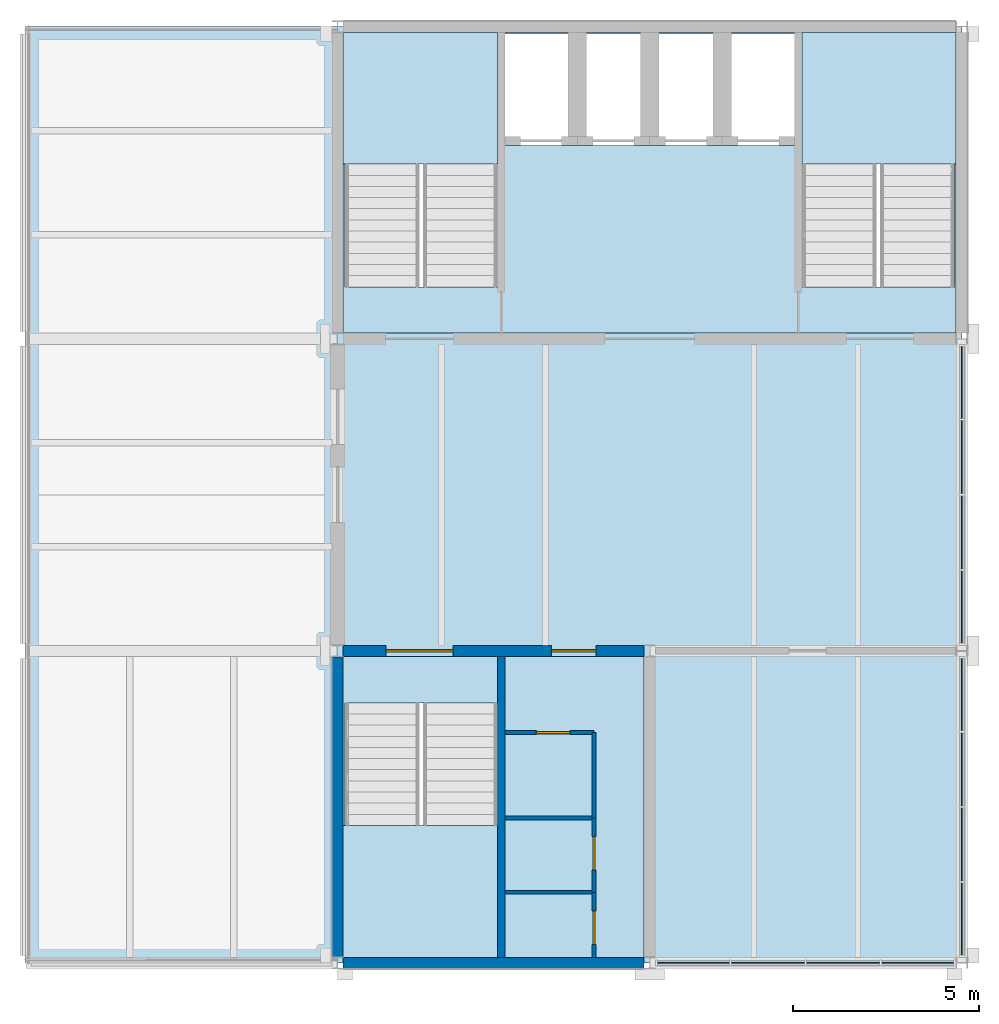
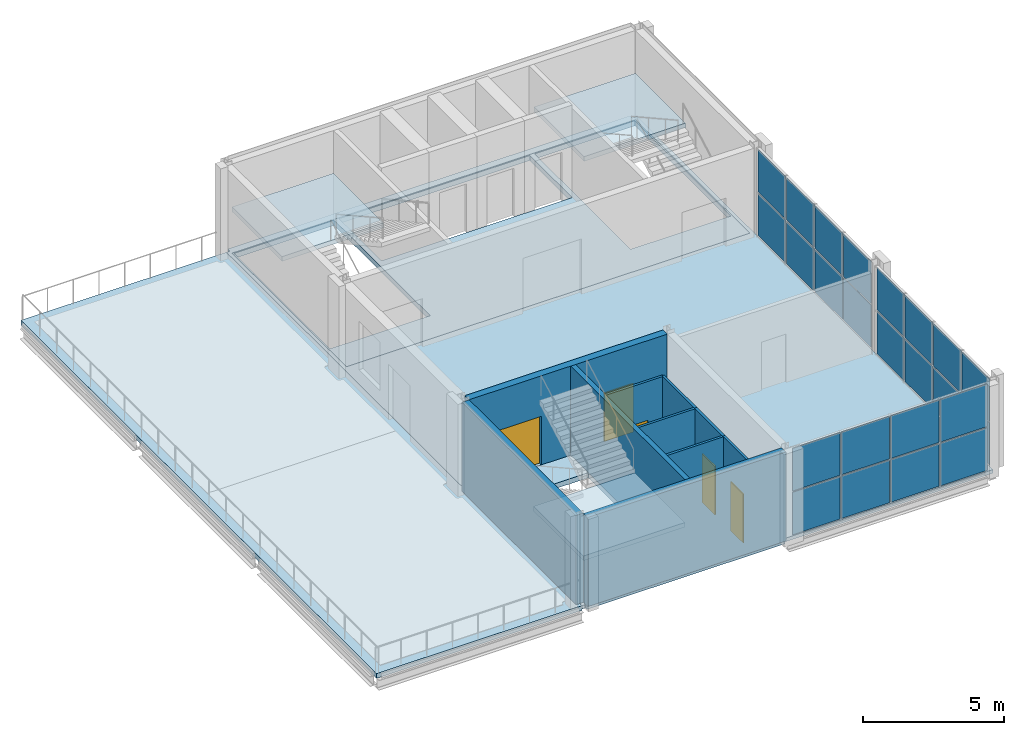
# One storey, part 4 of 6: 24 plates, 10 walls, 7 slabs, 5 doors, 5 openings, 6 elements without a shape of their own.
"""IFC4 building model written with IfcOpenShell, lengths in metres."""

from ifc_helpers import new_model, si_unit, direction, frame, frame_2d, origin, origin_2d, place, context, subcontext, project, spatial, polyline, rectangle, outline, extrude, material, layer, layer_set, type_object, element, fill, aggregate, save


model = new_model("IFC4")

# Units and contexts
model_context = context("Model", 3, precision=1e-05, world=origin(), true_north=direction((0.0, 1.0)))
body_context = subcontext(model_context, "Body", "Model", "MODEL_VIEW")
ifc_project = project(units=[si_unit("LENGTHUNIT", "METRE"), si_unit("AREAUNIT", "SQUARE_METRE"), si_unit("VOLUMEUNIT", "CUBIC_METRE"), si_unit("PLANEANGLEUNIT", "RADIAN"), si_unit("MASSUNIT", "GRAM", prefix="KILO")], contexts=[model_context])

# Site, building, storey
site_placement = place(None, origin())
site = spatial("IfcSite", under=ifc_project, at=site_placement, CompositionType="ELEMENT")
building_placement = place(site_placement, origin())
building = spatial("IfcBuilding", under=site, at=building_placement, Name="Galleria Vessillo Department Store", CompositionType="ELEMENT")
storey_placement = place(building_placement, frame((0.0, 0.0, 59.60009765625)))
storey = spatial("IfcBuildingStorey", under=building, at=storey_placement, Name="L13", CompositionType="ELEMENT", Elevation=59.60009765625)

# Slabs
ifc_material_1 = material(Name="Concrete C32/40 composite on steel deck", Category="concrete")
ifc_layer_1 = layer(ifc_material_1, 0.14990234375)
ifc_layer_set_1 = layer_set([ifc_layer_1], Name="Concrete C32/40 composite on steel deck")
slab_type_1 = type_object("IfcSlabType", Name="Composite floor slab 150 mm", PredefinedType="FLOOR", material=ifc_layer_set_1)
slab_1_placement = place(storey_placement, frame((0.0, 0.0, -0.14990234375)))
element("IfcSlab", 1, at=slab_1_placement, inside=storey, type_object=slab_type_1, Name="S-SLAB-L13-FLOOR", PredefinedType="FLOOR", context=body_context, shape_type="SweptSolid", body=[
    extrude(outline(polyline([(100.95068359375, 37.699951171875), (100.95068359375, 37.800048828125), (100.800048828125, 37.800048828125), (100.800048828125, 63.0), (100.95068359375, 63.0), (100.95068359375, 63.1494140625), (117.3994140625, 63.1494140625), (117.3994140625, 63.0), (117.60009765625, 63.0), (117.60009765625, 37.800048828125), (109.04931640625, 37.800048828125), (109.04931640625, 37.699951171875), (100.95068359375, 37.699951171875)]), holes=[polyline([(109.050048828125, 37.949951171875), (109.050048828125, 46.050048828125), (100.949951171875, 46.050048828125), (100.949951171875, 37.949951171875), (109.050048828125, 37.949951171875)]), polyline([(117.4501953125, 54.75), (117.4501953125, 62.85009765625), (100.949951171875, 62.85009765625), (100.949951171875, 54.75), (117.4501953125, 54.75)])]), origin(), (0.0, 0.0, 1.0), 0.14990234375),
])
ifc_material_2 = material(Name="Concrete C32/40 composite on steel deck", Category="concrete")
ifc_layer_2 = layer(ifc_material_2, 0.199951171875)
ifc_layer_set_2 = layer_set([ifc_layer_2], Name="Concrete C32/40 composite on steel deck")
slab_type_2 = type_object("IfcSlabType", Name="Composite terrace slab 200 mm", PredefinedType="ROOF", material=ifc_layer_set_2)
slab_2_placement = place(storey_placement, frame((0.0, 0.0, -0.199951171875)))
element("IfcSlab", 2, at=slab_2_placement, inside=storey, type_object=slab_type_2, Name="S-SLAB-L13-TERRACE", PredefinedType="ROOF", context=body_context, shape_type="SweptSolid", body=[
    extrude(outline(polyline([(92.39990234375, 37.800048828125), (92.39990234375, 63.0), (100.800048828125, 63.0), (100.800048828125, 37.800048828125), (92.39990234375, 37.800048828125)])), origin(), (0.0, 0.0, 1.0), 0.199951171875),
])

# Curtain wall, plates
ifc_material_3 = material(Name="Aluminium and glass curtain wall", Category="aluminium")
ifc_layer_3 = layer(ifc_material_3, 0.159912109375)
ifc_layer_set_3 = layer_set([ifc_layer_3], Name="Aluminium and glass curtain wall")
curtain_wall_type = type_object("IfcCurtainWallType", Name="Tower curtain wall CW4 2100 module", PredefinedType="NOTDEFINED", material=ifc_layer_set_3)
curtain_wall_1_placement = place(storey_placement, origin())
curtain_wall_1 = element("IfcCurtainWall", 3, at=curtain_wall_1_placement, inside=storey, type_object=curtain_wall_type, Name="Tower curtain wall CW4 2100 module TS-L13-01", PredefinedType="NOTDEFINED")
ifc_material_4 = material(Name="Glass laminated 44.2 low-e", Category="glass")
ifc_layer_4 = layer(ifc_material_4, 0.028076171875)
ifc_layer_set_4 = layer_set([ifc_layer_4], Name="Glass laminated 44.2 low-e")
plate_type_1 = type_object("IfcPlateType", Name="Laminated glass panel 28 mm", PredefinedType="CURTAIN_PANEL", material=ifc_layer_set_4)
plate_1_placement = place(storey_placement, frame((110.376220703125, 37.800048828125, 1.955078125), z_axis=(0.0, 0.0, 1.0), x_axis=(1.0, 0.0, 0.0)))
plate_1 = element("IfcPlate", 4, at=plate_1_placement, type_object=plate_type_1, Name="CW4 panel 1.2", PredefinedType="CURTAIN_PANEL", context=body_context, shape_type="SweptSolid", body=[
    extrude(rectangle(XDim=1.9326171875, YDim=0.028076171875, at=origin_2d()), origin(), (0.0, 0.0, 1.0), 1.835205078125),
])
plate_2_placement = place(storey_placement, frame((112.3837890625, 37.800048828125, 1.955078125), z_axis=(0.0, 0.0, 1.0), x_axis=(1.0, 0.0, 0.0)))
plate_2 = element("IfcPlate", 5, at=plate_2_placement, type_object=plate_type_1, Name="CW4 panel 2.2", PredefinedType="CURTAIN_PANEL", context=body_context, shape_type="SweptSolid", body=[
    extrude(rectangle(XDim=1.962646484375, YDim=0.028076171875, at=origin_2d()), origin(), (0.0, 0.0, 1.0), 1.835205078125),
])
plate_3_placement = place(storey_placement, frame((114.40625, 37.800048828125, 1.955078125), z_axis=(0.0, 0.0, 1.0), x_axis=(1.0, 0.0, 0.0)))
plate_3 = element("IfcPlate", 6, at=plate_3_placement, type_object=plate_type_1, Name="CW4 panel 3.2", PredefinedType="CURTAIN_PANEL", context=body_context, shape_type="SweptSolid", body=[
    extrude(rectangle(XDim=1.962646484375, YDim=0.028076171875, at=origin_2d()), origin(), (0.0, 0.0, 1.0), 1.835205078125),
])
plate_4_placement = place(storey_placement, frame((116.413818359375, 37.800048828125, 1.955078125), z_axis=(0.0, 0.0, 1.0), x_axis=(1.0, 0.0, 0.0)))
plate_4 = element("IfcPlate", 7, at=plate_4_placement, type_object=plate_type_1, Name="CW4 panel 4.2", PredefinedType="CURTAIN_PANEL", context=body_context, shape_type="SweptSolid", body=[
    extrude(rectangle(XDim=1.9326171875, YDim=0.028076171875, at=origin_2d()), origin(), (0.0, 0.0, 1.0), 1.835205078125),
])

curtain_wall_2_placement = place(storey_placement, origin())
curtain_wall_2 = element("IfcCurtainWall", 8, at=curtain_wall_2_placement, inside=storey, type_object=curtain_wall_type, Name="Tower curtain wall CW4 2100 module TE-L13-01", PredefinedType="NOTDEFINED")
plate_5_placement = place(storey_placement, frame((117.60009765625, 38.9775390625, 1.955078125), z_axis=(0.0, 0.0, 1.0), x_axis=(0.0, 1.0, 0.0)))
plate_5 = element("IfcPlate", 9, at=plate_5_placement, type_object=plate_type_1, Name="CW4 panel 1.2", PredefinedType="CURTAIN_PANEL", context=body_context, shape_type="SweptSolid", body=[
    extrude(rectangle(XDim=1.93505859375, YDim=0.028076171875, at=origin_2d()), origin(), (0.0, 0.0, 1.0), 1.835205078125),
])
plate_6_placement = place(storey_placement, frame((117.60009765625, 40.987548828125, 1.955078125), z_axis=(0.0, 0.0, 1.0), x_axis=(0.0, 1.0, 0.0)))
plate_6 = element("IfcPlate", 10, at=plate_6_placement, type_object=plate_type_1, Name="CW4 panel 2.2", PredefinedType="CURTAIN_PANEL", context=body_context, shape_type="SweptSolid", body=[
    extrude(rectangle(XDim=1.965087890625, YDim=0.028076171875, at=origin_2d()), origin(), (0.0, 0.0, 1.0), 1.835205078125),
])
plate_7_placement = place(storey_placement, frame((117.60009765625, 43.012451171875, 1.955078125), z_axis=(0.0, 0.0, 1.0), x_axis=(0.0, 1.0, 0.0)))
plate_7 = element("IfcPlate", 11, at=plate_7_placement, type_object=plate_type_1, Name="CW4 panel 3.2", PredefinedType="CURTAIN_PANEL", context=body_context, shape_type="SweptSolid", body=[
    extrude(rectangle(XDim=1.965087890625, YDim=0.028076171875, at=origin_2d()), origin(), (0.0, 0.0, 1.0), 1.835205078125),
])
plate_8_placement = place(storey_placement, frame((117.60009765625, 45.0224609375, 1.955078125), z_axis=(0.0, 0.0, 1.0), x_axis=(0.0, 1.0, 0.0)))
plate_8 = element("IfcPlate", 12, at=plate_8_placement, type_object=plate_type_1, Name="CW4 panel 4.2", PredefinedType="CURTAIN_PANEL", context=body_context, shape_type="SweptSolid", body=[
    extrude(rectangle(XDim=1.93505859375, YDim=0.028076171875, at=origin_2d()), origin(), (0.0, 0.0, 1.0), 1.835205078125),
])

curtain_wall_3_placement = place(storey_placement, origin())
curtain_wall_3 = element("IfcCurtainWall", 13, at=curtain_wall_3_placement, inside=storey, type_object=curtain_wall_type, Name="Tower curtain wall CW4 2100 module TE-L13-02", PredefinedType="NOTDEFINED")
plate_9_placement = place(storey_placement, frame((117.60009765625, 47.37744140625, 1.955078125), z_axis=(0.0, 0.0, 1.0), x_axis=(0.0, 1.0, 0.0)))
plate_9 = element("IfcPlate", 14, at=plate_9_placement, type_object=plate_type_1, Name="CW4 panel 1.2", PredefinedType="CURTAIN_PANEL", context=body_context, shape_type="SweptSolid", body=[
    extrude(rectangle(XDim=1.93505859375, YDim=0.028076171875, at=origin_2d()), origin(), (0.0, 0.0, 1.0), 1.835205078125),
])
plate_10_placement = place(storey_placement, frame((117.60009765625, 49.387451171875, 1.955078125), z_axis=(0.0, 0.0, 1.0), x_axis=(0.0, 1.0, 0.0)))
plate_10 = element("IfcPlate", 15, at=plate_10_placement, type_object=plate_type_1, Name="CW4 panel 2.2", PredefinedType="CURTAIN_PANEL", context=body_context, shape_type="SweptSolid", body=[
    extrude(rectangle(XDim=1.965087890625, YDim=0.028076171875, at=origin_2d()), origin(), (0.0, 0.0, 1.0), 1.835205078125),
])
plate_11_placement = place(storey_placement, frame((117.60009765625, 51.41259765625, 1.955078125), z_axis=(0.0, 0.0, 1.0), x_axis=(0.0, 1.0, 0.0)))
plate_11 = element("IfcPlate", 16, at=plate_11_placement, type_object=plate_type_1, Name="CW4 panel 3.2", PredefinedType="CURTAIN_PANEL", context=body_context, shape_type="SweptSolid", body=[
    extrude(rectangle(XDim=1.965087890625, YDim=0.028076171875, at=origin_2d()), origin(), (0.0, 0.0, 1.0), 1.835205078125),
])
plate_12_placement = place(storey_placement, frame((117.60009765625, 53.422607421875, 1.955078125), z_axis=(0.0, 0.0, 1.0), x_axis=(0.0, 1.0, 0.0)))
plate_12 = element("IfcPlate", 17, at=plate_12_placement, type_object=plate_type_1, Name="CW4 panel 4.2", PredefinedType="CURTAIN_PANEL", context=body_context, shape_type="SweptSolid", body=[
    extrude(rectangle(XDim=1.93505859375, YDim=0.028076171875, at=origin_2d()), origin(), (0.0, 0.0, 1.0), 1.835205078125),
])

# Slabs
ifc_material_5 = material(Name="Concrete C32/40 reinforced", Category="concrete")
ifc_layer_5 = layer(ifc_material_5, 0.219970703125)
ifc_layer_set_5 = layer_set([ifc_layer_5], Name="Concrete C32/40 reinforced")
slab_type_3 = type_object("IfcSlabType", Name="Reinforced concrete core floor slab 220 mm", PredefinedType="FLOOR", material=ifc_layer_set_5)
slab_3_placement = place(storey_placement, frame((0.0, 0.0, -0.219970703125)))
element("IfcSlab", 18, at=slab_3_placement, inside=storey, type_object=slab_type_3, Name="S-SLAB-L13-CORE-TC", PredefinedType="FLOOR", context=body_context, shape_type="SweptSolid", body=[
    extrude(outline(polyline([(100.949951171875, 54.75), (100.949951171875, 62.85009765625), (117.4501953125, 62.85009765625), (117.4501953125, 54.75), (100.949951171875, 54.75)]), holes=[polyline([(105.10009765625, 56.0), (105.10009765625, 62.800048828125), (101.0, 62.800048828125), (101.0, 56.0), (105.10009765625, 56.0)]), polyline([(113.300048828125, 56.0), (117.39990234375, 56.0), (117.39990234375, 62.800048828125), (113.300048828125, 62.800048828125), (113.300048828125, 56.0)]), polyline([(105.300048828125, 59.800048828125), (113.10009765625, 59.800048828125), (113.10009765625, 62.800048828125), (105.300048828125, 62.800048828125), (105.300048828125, 59.800048828125)])]), origin(), (0.0, 0.0, 1.0), 0.219970703125),
])
slab_4_placement = place(storey_placement, frame((0.0, 0.0, -0.219970703125)))
element("IfcSlab", 19, at=slab_4_placement, inside=storey, type_object=slab_type_3, Name="S-SLAB-L13-CORE-TS", PredefinedType="FLOOR", context=body_context, shape_type="SweptSolid", body=[
    extrude(outline(polyline([(100.949951171875, 37.949951171875), (100.949951171875, 46.050048828125), (109.050048828125, 46.050048828125), (109.050048828125, 37.949951171875), (100.949951171875, 37.949951171875)]), holes=[polyline([(105.10009765625, 44.800048828125), (101.0, 44.800048828125), (101.0, 38.0), (105.10009765625, 38.0), (105.10009765625, 44.800048828125)])]), origin(), (0.0, 0.0, 1.0), 0.219970703125),
])

# Stair, slab
ifc_material_6 = material(Name="Concrete C32/40", Category="concrete")
stair_type = type_object("IfcStairType", Name="Half-turn escape stair 2000 mm, 24 risers of 167 mm", PredefinedType="HALF_TURN_STAIR", material=ifc_material_6)
stair_1_placement = place(storey_placement, origin())
stair_1 = element("IfcStair", 20, at=stair_1_placement, inside=storey, type_object=stair_type, Name="Stair ST8 L13", PredefinedType="HALF_TURN_STAIR")
ifc_material_7 = material(Name="Concrete C32/40", Category="concrete")
ifc_layer_6 = layer(ifc_material_7, 0.199951171875)
ifc_layer_set_6 = layer_set([ifc_layer_6], Name="Concrete C32/40")
slab_type_4 = type_object("IfcSlabType", Name="Stair half landing 4150 x 3550 mm", PredefinedType="LANDING", material=ifc_layer_set_6)
slab_5_placement = place(storey_placement, frame((0.0, 0.0, 1.800048828125)))
slab_5 = element("IfcSlab", 21, at=slab_5_placement, type_object=slab_type_4, Name="ST8 landing 1", PredefinedType="LANDING", context=body_context, shape_type="SweptSolid", body=[
    extrude(outline(polyline([(100.949951171875, 59.300048828125), (100.949951171875, 62.85009765625), (105.10009765625, 62.85009765625), (105.10009765625, 59.300048828125), (100.949951171875, 59.300048828125)])), origin(), (0.0, 0.0, 1.0), 0.199951171875),
])
aggregate(stair_1, [slab_5])

stair_2_placement = place(storey_placement, origin())
stair_2 = element("IfcStair", 22, at=stair_2_placement, inside=storey, type_object=stair_type, Name="Stair ST9 L13", PredefinedType="HALF_TURN_STAIR")
slab_6_placement = place(storey_placement, frame((0.0, 0.0, 1.800048828125)))
slab_6 = element("IfcSlab", 23, at=slab_6_placement, type_object=slab_type_4, Name="ST9 landing 1", PredefinedType="LANDING", context=body_context, shape_type="SweptSolid", body=[
    extrude(outline(polyline([(113.300048828125, 59.300048828125), (113.300048828125, 62.85009765625), (117.4501953125, 62.85009765625), (117.4501953125, 59.300048828125), (113.300048828125, 59.300048828125)])), origin(), (0.0, 0.0, 1.0), 0.199951171875),
])
aggregate(stair_2, [slab_6])

stair_3_placement = place(storey_placement, origin())
stair_3 = element("IfcStair", 24, at=stair_3_placement, inside=storey, type_object=stair_type, Name="Stair ST12 L13", PredefinedType="HALF_TURN_STAIR")
slab_7_placement = place(storey_placement, frame((0.0, 0.0, 1.800048828125)))
slab_7 = element("IfcSlab", 25, at=slab_7_placement, type_object=slab_type_4, Name="ST12 landing 1", PredefinedType="LANDING", context=body_context, shape_type="SweptSolid", body=[
    extrude(outline(polyline([(100.949951171875, 37.949951171875), (100.949951171875, 41.5), (105.10009765625, 41.5), (105.10009765625, 37.949951171875), (100.949951171875, 37.949951171875)])), origin(), (0.0, 0.0, 1.0), 0.199951171875),
])
aggregate(stair_3, [slab_7])

# Plate
ifc_material_8 = material(Name="Limestone spandrel on aluminium tray", Category="masonry")
ifc_layer_7 = layer(ifc_material_8, 0.028076171875)
ifc_layer_set_7 = layer_set([ifc_layer_7], Name="Limestone spandrel on aluminium tray")
plate_type_2 = type_object("IfcPlateType", Name="Stone spandrel panel 28 mm", PredefinedType="CURTAIN_PANEL", material=ifc_layer_set_7)
plate_13_placement = place(storey_placement, frame((110.376220703125, 37.800048828125, 0.06005859375), z_axis=(0.0, 0.0, 1.0), x_axis=(1.0, 0.0, 0.0)))
plate_13 = element("IfcPlate", 26, at=plate_13_placement, type_object=plate_type_2, Name="CW4 panel 1.1", PredefinedType="CURTAIN_PANEL", context=body_context, shape_type="SweptSolid", body=[
    extrude(rectangle(XDim=1.9326171875, YDim=0.028076171875, at=origin_2d()), origin(), (0.0, 0.0, 1.0), 1.8349609375),
])

plate_14_placement = place(storey_placement, frame((112.3837890625, 37.800048828125, 0.06005859375), z_axis=(0.0, 0.0, 1.0), x_axis=(1.0, 0.0, 0.0)))
plate_14 = element("IfcPlate", 27, at=plate_14_placement, type_object=plate_type_2, Name="CW4 panel 2.1", PredefinedType="CURTAIN_PANEL", context=body_context, shape_type="SweptSolid", body=[
    extrude(rectangle(XDim=1.962646484375, YDim=0.028076171875, at=origin_2d()), origin(), (0.0, 0.0, 1.0), 1.8349609375),
])

plate_15_placement = place(storey_placement, frame((114.40625, 37.800048828125, 0.06005859375), z_axis=(0.0, 0.0, 1.0), x_axis=(1.0, 0.0, 0.0)))
plate_15 = element("IfcPlate", 28, at=plate_15_placement, type_object=plate_type_2, Name="CW4 panel 3.1", PredefinedType="CURTAIN_PANEL", context=body_context, shape_type="SweptSolid", body=[
    extrude(rectangle(XDim=1.962646484375, YDim=0.028076171875, at=origin_2d()), origin(), (0.0, 0.0, 1.0), 1.8349609375),
])

plate_16_placement = place(storey_placement, frame((116.413818359375, 37.800048828125, 0.06005859375), z_axis=(0.0, 0.0, 1.0), x_axis=(1.0, 0.0, 0.0)))
plate_16 = element("IfcPlate", 29, at=plate_16_placement, type_object=plate_type_2, Name="CW4 panel 4.1", PredefinedType="CURTAIN_PANEL", context=body_context, shape_type="SweptSolid", body=[
    extrude(rectangle(XDim=1.9326171875, YDim=0.028076171875, at=origin_2d()), origin(), (0.0, 0.0, 1.0), 1.8349609375),
])

aggregate(curtain_wall_1, [plate_13, plate_1, plate_14, plate_2, plate_15, plate_3, plate_16, plate_4])

plate_17_placement = place(storey_placement, frame((117.60009765625, 38.9775390625, 0.06005859375), z_axis=(0.0, 0.0, 1.0), x_axis=(0.0, 1.0, 0.0)))
plate_17 = element("IfcPlate", 30, at=plate_17_placement, type_object=plate_type_2, Name="CW4 panel 1.1", PredefinedType="CURTAIN_PANEL", context=body_context, shape_type="SweptSolid", body=[
    extrude(rectangle(XDim=1.93505859375, YDim=0.028076171875, at=origin_2d()), origin(), (0.0, 0.0, 1.0), 1.8349609375),
])

plate_18_placement = place(storey_placement, frame((117.60009765625, 40.987548828125, 0.06005859375), z_axis=(0.0, 0.0, 1.0), x_axis=(0.0, 1.0, 0.0)))
plate_18 = element("IfcPlate", 31, at=plate_18_placement, type_object=plate_type_2, Name="CW4 panel 2.1", PredefinedType="CURTAIN_PANEL", context=body_context, shape_type="SweptSolid", body=[
    extrude(rectangle(XDim=1.965087890625, YDim=0.028076171875, at=origin_2d()), origin(), (0.0, 0.0, 1.0), 1.8349609375),
])

plate_19_placement = place(storey_placement, frame((117.60009765625, 43.012451171875, 0.06005859375), z_axis=(0.0, 0.0, 1.0), x_axis=(0.0, 1.0, 0.0)))
plate_19 = element("IfcPlate", 32, at=plate_19_placement, type_object=plate_type_2, Name="CW4 panel 3.1", PredefinedType="CURTAIN_PANEL", context=body_context, shape_type="SweptSolid", body=[
    extrude(rectangle(XDim=1.965087890625, YDim=0.028076171875, at=origin_2d()), origin(), (0.0, 0.0, 1.0), 1.8349609375),
])

plate_20_placement = place(storey_placement, frame((117.60009765625, 45.0224609375, 0.06005859375), z_axis=(0.0, 0.0, 1.0), x_axis=(0.0, 1.0, 0.0)))
plate_20 = element("IfcPlate", 33, at=plate_20_placement, type_object=plate_type_2, Name="CW4 panel 4.1", PredefinedType="CURTAIN_PANEL", context=body_context, shape_type="SweptSolid", body=[
    extrude(rectangle(XDim=1.93505859375, YDim=0.028076171875, at=origin_2d()), origin(), (0.0, 0.0, 1.0), 1.8349609375),
])

aggregate(curtain_wall_2, [plate_17, plate_5, plate_18, plate_6, plate_19, plate_7, plate_20, plate_8])

plate_21_placement = place(storey_placement, frame((117.60009765625, 47.37744140625, 0.06005859375), z_axis=(0.0, 0.0, 1.0), x_axis=(0.0, 1.0, 0.0)))
plate_21 = element("IfcPlate", 34, at=plate_21_placement, type_object=plate_type_2, Name="CW4 panel 1.1", PredefinedType="CURTAIN_PANEL", context=body_context, shape_type="SweptSolid", body=[
    extrude(rectangle(XDim=1.93505859375, YDim=0.028076171875, at=origin_2d()), origin(), (0.0, 0.0, 1.0), 1.8349609375),
])

plate_22_placement = place(storey_placement, frame((117.60009765625, 49.387451171875, 0.06005859375), z_axis=(0.0, 0.0, 1.0), x_axis=(0.0, 1.0, 0.0)))
plate_22 = element("IfcPlate", 35, at=plate_22_placement, type_object=plate_type_2, Name="CW4 panel 2.1", PredefinedType="CURTAIN_PANEL", context=body_context, shape_type="SweptSolid", body=[
    extrude(rectangle(XDim=1.965087890625, YDim=0.028076171875, at=origin_2d()), origin(), (0.0, 0.0, 1.0), 1.8349609375),
])

plate_23_placement = place(storey_placement, frame((117.60009765625, 51.41259765625, 0.06005859375), z_axis=(0.0, 0.0, 1.0), x_axis=(0.0, 1.0, 0.0)))
plate_23 = element("IfcPlate", 36, at=plate_23_placement, type_object=plate_type_2, Name="CW4 panel 3.1", PredefinedType="CURTAIN_PANEL", context=body_context, shape_type="SweptSolid", body=[
    extrude(rectangle(XDim=1.965087890625, YDim=0.028076171875, at=origin_2d()), origin(), (0.0, 0.0, 1.0), 1.8349609375),
])

plate_24_placement = place(storey_placement, frame((117.60009765625, 53.422607421875, 0.06005859375), z_axis=(0.0, 0.0, 1.0), x_axis=(0.0, 1.0, 0.0)))
plate_24 = element("IfcPlate", 37, at=plate_24_placement, type_object=plate_type_2, Name="CW4 panel 4.1", PredefinedType="CURTAIN_PANEL", context=body_context, shape_type="SweptSolid", body=[
    extrude(rectangle(XDim=1.93505859375, YDim=0.028076171875, at=origin_2d()), origin(), (0.0, 0.0, 1.0), 1.8349609375),
])

aggregate(curtain_wall_3, [plate_21, plate_9, plate_22, plate_10, plate_23, plate_11, plate_24, plate_12])

# Wall, openings, doors
ifc_material_9 = material(Name="Concrete C32/40 reinforced", Category="concrete")
ifc_layer_8 = layer(ifc_material_9, 0.300048828125)
ifc_layer_set_8 = layer_set([ifc_layer_8], Name="Concrete C32/40 reinforced")
wall_type_1 = type_object("IfcWallType", Name="Reinforced concrete core wall 300 mm", PredefinedType="SHEAR", material=ifc_layer_set_8)
wall_1_placement = place(storey_placement, frame((100.949951171875, 46.199951171875, 0.0), z_axis=(0.0, 0.0, 1.0), x_axis=(1.0, 0.0, 0.0)))
wall_1 = element("IfcWall", 38, at=wall_1_placement, inside=storey, type_object=wall_type_1, Name="S-CW-TS-INTERIOR-L13", PredefinedType="SHEAR", context=body_context, shape_type="SweptSolid", body=[
    extrude(rectangle(XDim=8.10009765625, YDim=0.300048828125, at=frame_2d((4.050048828125, 0.0))), origin(), (0.0, 0.0, 1.0), 3.85009765625),
])
opening_1_placement = place(wall_1_placement, frame((1.14990234375, 0.0, 0.0)))
opening_1 = element("IfcOpeningElement", 39, at=opening_1_placement, cuts=wall_1, Name="Opening D5335", PredefinedType="OPENING", context=body_context, shape_type="SweptSolid", body=[
    extrude(rectangle(XDim=1.800048828125, YDim=2.10009765625, at=frame_2d((0.89990234375, 1.050048828125))), frame((0.0, 0.16015625, 0.0), z_axis=(0.0, -1.0, 0.0), x_axis=(1.0, 0.0, 0.0)), (0.0, 0.0, 1.0), 0.320068359375),
])
opening_2_placement = place(wall_1_placement, frame((5.599853515625, 0.0, 0.0)))
opening_2 = element("IfcOpeningElement", 40, at=opening_2_placement, cuts=wall_1, Name="Opening D5336", PredefinedType="OPENING", context=body_context, shape_type="SweptSolid", body=[
    extrude(rectangle(XDim=1.199951171875, YDim=2.10009765625, at=frame_2d((0.60009765625, 1.050048828125))), frame((0.0, 0.16015625, 0.0), z_axis=(0.0, -1.0, 0.0), x_axis=(1.0, 0.0, 0.0)), (0.0, 0.0, 1.0), 0.320068359375),
])
ifc_material_10 = material(Name="Fire-rated steel door leaf", Category="steel")
door_type_1 = type_object("IfcDoorType", Name="Door D120F fire door 1200 x 2100", OperationType="SINGLE_SWING_LEFT", PredefinedType="DOOR", material=ifc_material_10)
door_1_placement = place(opening_2_placement, frame((1.199951171875, 0.0, 0.0), z_axis=(0.0, 0.0, 1.0), x_axis=(-1.0, 0.0, 0.0)))
door_1 = element("IfcDoor", 41, at=door_1_placement, inside=storey, type_object=door_type_1, Name="Lobby door TS-WC-FLOOR L13", OperationType="SINGLE_SWING_LEFT", OverallHeight=2.10009765625, OverallWidth=1.199951171875, PredefinedType="DOOR", context=body_context, shape_type="SweptSolid", body=[
    extrude(rectangle(XDim=1.199951171875, YDim=2.10009765625, at=frame_2d((0.60009765625, 1.050048828125))), frame((0.0, 0.02490234375, 0.0), z_axis=(0.0, -1.0, 0.0), x_axis=(1.0, 0.0, 0.0)), (0.0, 0.0, 1.0), 0.050048828125),
])
fill(opening_2, door_1)
ifc_material_11 = material(Name="Fire-rated steel door leaf", Category="steel")
door_type_2 = type_object("IfcDoorType", Name="Door D180F double leaf 1800 x 2100", OperationType="DOUBLE_DOOR_SINGLE_SWING", PredefinedType="DOOR", material=ifc_material_11)
door_2_placement = place(opening_1_placement, frame((1.800048828125, 0.0, 0.0), z_axis=(0.0, 0.0, 1.0), x_axis=(-1.0, 0.0, 0.0)))
door_2 = element("IfcDoor", 42, at=door_2_placement, inside=storey, type_object=door_type_2, Name="Lobby door TS-ST12-FLOOR L13", OperationType="DOUBLE_DOOR_SINGLE_SWING", OverallHeight=2.10009765625, OverallWidth=1.800048828125, PredefinedType="DOOR", context=body_context, shape_type="SweptSolid", body=[
    extrude(rectangle(XDim=1.800048828125, YDim=2.10009765625, at=frame_2d((0.89990234375, 1.050048828125))), frame((0.0, 0.02490234375, 0.0), z_axis=(0.0, -1.0, 0.0), x_axis=(1.0, 0.0, 0.0)), (0.0, 0.0, 1.0), 0.050048828125),
])
fill(opening_1, door_2)

# Walls
ifc_material_12 = material(Name="Concrete C32/40 reinforced", Category="concrete")
ifc_layer_9 = layer(ifc_material_12, 0.300048828125)
ifc_layer_set_9 = layer_set([ifc_layer_9], Name="Concrete C32/40 reinforced")
wall_type_2 = type_object("IfcWallType", Name="Reinforced concrete core wall 300 mm, external", PredefinedType="SHEAR", material=ifc_layer_set_9)
wall_2_placement = place(storey_placement, frame((100.949951171875, 37.800048828125, 0.0), z_axis=(0.0, 0.0, 1.0), x_axis=(1.0, 0.0, 0.0)))
element("IfcWall", 43, at=wall_2_placement, inside=storey, type_object=wall_type_2, Name="S-CW-TS-PARTY-L13", PredefinedType="SHEAR", context=body_context, shape_type="SweptSolid", body=[
    extrude(rectangle(XDim=8.10009765625, YDim=0.300048828125, at=frame_2d((4.050048828125, 0.0))), origin(), (0.0, 0.0, 1.0), 3.85009765625),
])
wall_3_placement = place(storey_placement, frame((100.800048828125, 37.9599609375, 0.0), z_axis=(0.0, 0.0, 1.0), x_axis=(0.0, 1.0, 0.0)))
element("IfcWall", 44, at=wall_3_placement, inside=storey, type_object=wall_type_2, Name="S-CW-TS-WEST-L13", PredefinedType="SHEAR", context=body_context, shape_type="SweptSolid", body=[
    extrude(rectangle(XDim=8.080078125, YDim=0.300048828125, at=frame_2d((4.0400390625, 0.0))), origin(), (0.0, 0.0, 1.0), 3.85009765625),
])
ifc_material_13 = material(Name="Concrete C32/40 reinforced", Category="concrete")
ifc_layer_10 = layer(ifc_material_13, 0.199951171875)
ifc_layer_set_10 = layer_set([ifc_layer_10], Name="Concrete C32/40 reinforced")
wall_type_3 = type_object("IfcWallType", Name="Reinforced concrete stair enclosure wall 200 mm", PredefinedType="SHEAR", material=ifc_layer_set_10)
wall_4_placement = place(storey_placement, frame((105.199951171875, 37.949951171875, 0.0), z_axis=(0.0, 0.0, 1.0), x_axis=(0.0, 1.0, 0.0)))
element("IfcWall", 45, at=wall_4_placement, inside=storey, type_object=wall_type_3, Name="Stair enclosure wall TS L13", PredefinedType="SHEAR", context=body_context, shape_type="SweptSolid", body=[
    extrude(rectangle(XDim=8.10009765625, YDim=0.199951171875, at=frame_2d((4.050048828125, 0.0))), origin(), (0.0, 0.0, 1.0), 3.849853515625),
])

# Wall, opening, door
ifc_material_14 = material(Name="Moisture-resistant board partition")
ifc_layer_11 = layer(ifc_material_14, 0.10009765625)
ifc_layer_set_11 = layer_set([ifc_layer_11], Name="Moisture-resistant board partition")
wall_type_4 = type_object("IfcWallType", Name="WC and cubicle partition 100 mm", PredefinedType="PARTITIONING", material=ifc_layer_set_11)
wall_5_placement = place(storey_placement, frame((105.300048828125, 44.0, 0.0), z_axis=(0.0, 0.0, 1.0), x_axis=(1.0, 0.0, 0.0)))
wall_5 = element("IfcWall", 46, at=wall_5_placement, inside=storey, type_object=wall_type_4, Name="Partition wall PT1 on L13 no. 001", PredefinedType="PARTITIONING", context=body_context, shape_type="SweptSolid", body=[
    extrude(rectangle(XDim=2.39990234375, YDim=0.10009765625, at=frame_2d((1.199951171875, 0.0))), origin(), (0.0, 0.0, 1.0), 3.780029296875),
])
opening_3_placement = place(wall_5_placement, frame((0.85009765625, 0.0, 0.0)))
opening_3 = element("IfcOpeningElement", 47, at=opening_3_placement, cuts=wall_5, Name="Opening D3501", PredefinedType="OPENING", context=body_context, shape_type="SweptSolid", body=[
    extrude(rectangle(XDim=0.89990234375, YDim=2.10009765625, at=frame_2d((0.449951171875, 1.050048828125))), frame((0.0, 0.06005859375, 0.0), z_axis=(0.0, -1.0, 0.0), x_axis=(1.0, 0.0, 0.0)), (0.0, 0.0, 1.0), 0.1201171875),
])
ifc_material_15 = material(Name="Timber and glass door leaf", Category="wood")
door_type_3 = type_object("IfcDoorType", Name="Floor door 900 single leaf", OperationType="SINGLE_SWING_LEFT", PredefinedType="DOOR", material=ifc_material_15)
door_3_placement = place(opening_3_placement, origin())
door_3 = element("IfcDoor", 48, at=door_3_placement, inside=storey, type_object=door_type_3, Name="Door D3501", OperationType="SINGLE_SWING_LEFT", OverallHeight=2.10009765625, OverallWidth=0.89990234375, PredefinedType="DOOR", context=body_context, shape_type="SweptSolid", body=[
    extrude(rectangle(XDim=0.89990234375, YDim=2.10009765625, at=frame_2d((0.449951171875, 1.050048828125))), frame((0.0, 0.02490234375, 0.0), z_axis=(0.0, -1.0, 0.0), x_axis=(1.0, 0.0, 0.0)), (0.0, 0.0, 1.0), 0.050048828125),
])
fill(opening_3, door_3)

# Wall
wall_6_placement = place(storey_placement, frame((107.699951171875, 41.699951171875, 0.0), z_axis=(0.0, 0.0, 1.0), x_axis=(0.0, 1.0, 0.0)))
element("IfcWall", 49, at=wall_6_placement, inside=storey, type_object=wall_type_4, Name="Partition wall PT1 on L13 no. 002", PredefinedType="PARTITIONING", context=body_context, shape_type="SweptSolid", body=[
    extrude(rectangle(XDim=2.300048828125, YDim=0.10009765625, at=frame_2d((1.14990234375, 0.0))), origin(), (0.0, 0.0, 1.0), 3.780029296875),
])

# Wall, opening, door
wall_7_placement = place(storey_placement, frame((107.699951171875, 39.699951171875, 0.0), z_axis=(0.0, 0.0, 1.0), x_axis=(0.0, 1.0, 0.0)))
wall_7 = element("IfcWall", 50, at=wall_7_placement, inside=storey, type_object=wall_type_4, Name="Partition wall PT1 on L13 no. 003", PredefinedType="PARTITIONING", context=body_context, shape_type="SweptSolid", body=[
    extrude(rectangle(XDim=2.0, YDim=0.10009765625, at=frame_2d((1.0, 0.0))), origin(), (0.0, 0.0, 1.0), 3.780029296875),
])
opening_4_placement = place(wall_7_placement, frame((0.60009765625, 0.0, 0.0)))
opening_4 = element("IfcOpeningElement", 51, at=opening_4_placement, cuts=wall_7, Name="Opening D3502", PredefinedType="OPENING", context=body_context, shape_type="SweptSolid", body=[
    extrude(rectangle(XDim=0.89990234375, YDim=2.10009765625, at=frame_2d((0.449951171875, 1.050048828125))), frame((0.0, 0.06005859375, 0.0), z_axis=(0.0, -1.0, 0.0), x_axis=(1.0, 0.0, 0.0)), (0.0, 0.0, 1.0), 0.1201171875),
])
door_4_placement = place(opening_4_placement, frame((0.89990234375, 0.0, 0.0), z_axis=(0.0, 0.0, 1.0), x_axis=(-1.0, 0.0, 0.0)))
door_4 = element("IfcDoor", 52, at=door_4_placement, inside=storey, type_object=door_type_3, Name="Door D3502", OperationType="SINGLE_SWING_RIGHT", OverallHeight=2.10009765625, OverallWidth=0.89990234375, PredefinedType="DOOR", context=body_context, shape_type="SweptSolid", body=[
    extrude(rectangle(XDim=0.89990234375, YDim=2.10009765625, at=frame_2d((0.449951171875, 1.050048828125))), frame((0.0, 0.02490234375, 0.0), z_axis=(0.0, -1.0, 0.0), x_axis=(1.0, 0.0, 0.0)), (0.0, 0.0, 1.0), 0.050048828125),
])
fill(opening_4, door_4)

wall_8_placement = place(storey_placement, frame((107.699951171875, 37.949951171875, 0.0), z_axis=(0.0, 0.0, 1.0), x_axis=(0.0, 1.0, 0.0)))
wall_8 = element("IfcWall", 53, at=wall_8_placement, inside=storey, type_object=wall_type_4, Name="Partition wall PT1 on L13 no. 004", PredefinedType="PARTITIONING", context=body_context, shape_type="SweptSolid", body=[
    extrude(rectangle(XDim=1.75, YDim=0.10009765625, at=frame_2d((0.875, 0.0))), origin(), (0.0, 0.0, 1.0), 3.780029296875),
])
opening_5_placement = place(wall_8_placement, frame((0.35009765625, 0.0, 0.0)))
opening_5 = element("IfcOpeningElement", 54, at=opening_5_placement, cuts=wall_8, Name="Opening D3503", PredefinedType="OPENING", context=body_context, shape_type="SweptSolid", body=[
    extrude(rectangle(XDim=0.89990234375, YDim=2.10009765625, at=frame_2d((0.449951171875, 1.050048828125))), frame((0.0, 0.06005859375, 0.0), z_axis=(0.0, -1.0, 0.0), x_axis=(1.0, 0.0, 0.0)), (0.0, 0.0, 1.0), 0.1201171875),
])
ifc_material_16 = material(Name="Timber and glass door leaf", Category="wood")
door_type_4 = type_object("IfcDoorType", Name="Accessible WC door 900 sliding", OperationType="SLIDING_TO_LEFT", PredefinedType="DOOR", material=ifc_material_16)
door_5_placement = place(opening_5_placement, origin())
door_5 = element("IfcDoor", 55, at=door_5_placement, inside=storey, type_object=door_type_4, Name="Door D3503", OperationType="SLIDING_TO_RIGHT", OverallHeight=2.10009765625, OverallWidth=0.89990234375, PredefinedType="DOOR", context=body_context, shape_type="SweptSolid", body=[
    extrude(rectangle(XDim=0.89990234375, YDim=2.10009765625, at=frame_2d((0.449951171875, 1.050048828125))), frame((0.0, 0.02490234375, 0.0), z_axis=(0.0, -1.0, 0.0), x_axis=(1.0, 0.0, 0.0)), (0.0, 0.0, 1.0), 0.050048828125),
])
fill(opening_5, door_5)

# Walls
for number, where, z_axis, x_axis, name in (
    (56, (105.300048828125, 41.699951171875, 0.0), (0.0, 0.0, 1.0), (1.0, 0.0, 0.0), "Partition wall PT1 on L13 no. 005"),
    (57, (105.300048828125, 39.699951171875, 0.0), (0.0, 0.0, 1.0), (1.0, 0.0, 0.0), "Partition wall PT1 on L13 no. 006"),
):
    element("IfcWall", number, at=place(storey_placement, frame(where, z_axis=z_axis, x_axis=x_axis)), inside=storey, type_object=wall_type_4, Name=name, PredefinedType="PARTITIONING", context=body_context, shape_type="SweptSolid", body=[
        extrude(rectangle(XDim=2.39990234375, YDim=0.10009765625, at=frame_2d((1.199951171875, 0.0))), origin(), (0.0, 0.0, 1.0), 3.780029296875),
    ])

save(model, "model.ifc")
